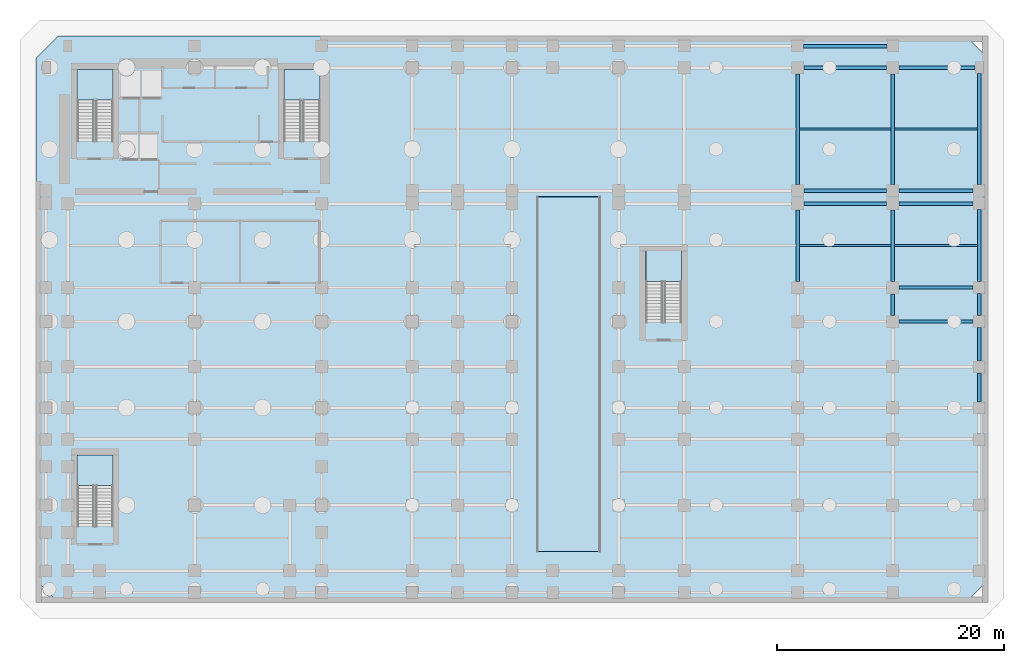
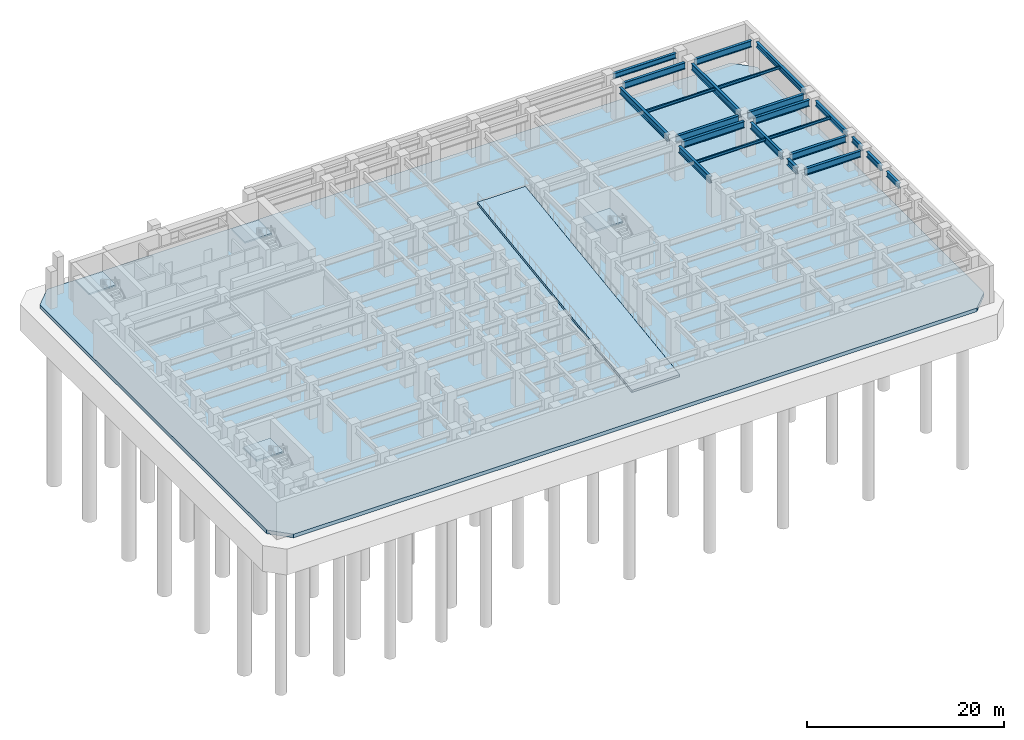
# One storey, part 5 of 13: 23 beams, 6 slabs, 4 elements without a shape of their own.
"""IFC4 building model written with IfcOpenShell, lengths in metres."""

from ifc_helpers import new_model, si_unit, direction, frame, origin, origin_2d, place, context, subcontext, project, spatial, polyline, i_section, outline, extrude, material, layer, layer_set, material_profile, profile_set, type_object, element, aggregate, save


model = new_model("IFC4")

# Units and contexts
model_context = context("Model", 3, precision=1e-05, world=origin(), true_north=direction((0.0, 1.0)))
body_context = subcontext(model_context, "Body", "Model", "MODEL_VIEW")
ifc_project = project(units=[si_unit("LENGTHUNIT", "METRE"), si_unit("AREAUNIT", "SQUARE_METRE"), si_unit("VOLUMEUNIT", "CUBIC_METRE"), si_unit("PLANEANGLEUNIT", "RADIAN"), si_unit("MASSUNIT", "GRAM", prefix="KILO")], contexts=[model_context])

# Site, building, storey
site_placement = place(None, origin())
site = spatial("IfcSite", under=ifc_project, at=site_placement, CompositionType="ELEMENT")
building_placement = place(site_placement, origin())
building = spatial("IfcBuilding", under=site, at=building_placement, Name="Kefirva Bronze Tower", CompositionType="ELEMENT")
storey_placement = place(building_placement, frame((0.0, 0.0, -9.239990234375)))
storey = spatial("IfcBuildingStorey", under=building, at=storey_placement, Name="B2", CompositionType="ELEMENT", Elevation=-9.239990234375)

# Beams
ifc_material_1 = material(Name="Steel S355", Category="steel")
ifc_material_profile_1 = material_profile(ifc_material_1, i_section(OverallWidth=0.159912109375, OverallDepth=0.330078125, WebThickness=0.007568359375, FlangeThickness=0.011474609375, at=origin_2d()), Name="IPE 330")
ifc_profile_set_1 = profile_set([ifc_material_profile_1], Name="Steel S355")
beam_type_1 = type_object("IfcBeamType", Name="Steel Floor Joist IPE 330", PredefinedType="JOIST", material=ifc_profile_set_1)
for number, where, z_axis, x_axis, name in (
    (1, (65.35009765625, 29.5, 4.10498046875), (1.0, 0.0, 0.0), (0.0, 1.0, 0.0), "B2 JST-B2-65-295"),
    (2, (65.35009765625, 39.77490234375, 4.10498046875), (1.0, 0.0, 0.0), (0.0, 1.0, 0.0), "B2 JST-B2-65-397"),
):
    element("IfcBeam", number, at=place(storey_placement, frame(where, z_axis=z_axis, x_axis=x_axis)), inside=storey, type_object=beam_type_1, Name=name, PredefinedType="JOIST", context=body_context, shape_type="SweptSolid", body=[
        extrude(i_section(OverallWidth=0.159912109375, OverallDepth=0.330078125, WebThickness=0.007568359375, FlangeThickness=0.011474609375, at=origin_2d()), origin(), (0.0, 0.0, 1.0), 8.099853515625),
    ])
for number, where, z_axis, x_axis, name in (
    (3, (73.75, 29.5, 4.10498046875), (1.0, 0.0, 0.0), (0.0, 1.0, 0.0), "B2 JST-B2-73-295"),
    (4, (73.75, 39.77490234375, 4.10498046875), (1.0, 0.0, 0.0), (0.0, 1.0, 0.0), "B2 JST-B2-73-397"),
):
    element("IfcBeam", number, at=place(storey_placement, frame(where, z_axis=z_axis, x_axis=x_axis)), inside=storey, type_object=beam_type_1, Name=name, PredefinedType="JOIST", context=body_context, shape_type="SweptSolid", body=[
        extrude(i_section(OverallWidth=0.159912109375, OverallDepth=0.330078125, WebThickness=0.007568359375, FlangeThickness=0.011474609375, at=origin_2d()), origin(), (0.0, 0.0, 1.0), 7.300048828125),
    ])
ifc_material_profile_2 = material_profile(ifc_material_1, i_section(OverallWidth=0.300048828125, OverallDepth=0.800048828125, WebThickness=0.017578125, FlangeThickness=0.032958984375, at=origin_2d()), Name="HEB 800")
ifc_profile_set_2 = profile_set([ifc_material_profile_2], Name="Steel S355")
beam_type_2 = type_object("IfcBeamType", Name="Steel Girder HEB 800", PredefinedType="USERDEFINED", material=ifc_profile_set_2)
for number, where, z_axis, x_axis, name in (
    (5, (74.14990234375, 22.800048828125, 3.869873046875), (1.0, 0.0, 0.0), (0.0, 1.0, 0.0), "B2 BM-B2-EW-73-228"),
    (6, (74.14990234375, 25.800048828125, 3.869873046875), (1.0, 0.0, 0.0), (0.0, 1.0, 0.0), "B2 BM-B2-EW-73-258"),
):
    element("IfcBeam", number, at=place(storey_placement, frame(where, z_axis=z_axis, x_axis=x_axis)), inside=storey, type_object=beam_type_2, Name=name, ObjectType="GIRDER", PredefinedType="USERDEFINED", context=body_context, shape_type="SweptSolid", body=[
        extrude(i_section(OverallWidth=0.300048828125, OverallDepth=0.800048828125, WebThickness=0.017578125, FlangeThickness=0.032958984375, at=origin_2d()), origin(), (0.0, 0.0, 1.0), 6.525146484375),
    ])
beam_1_placement = place(storey_placement, frame((65.75, 33.199951171875, 3.869873046875), z_axis=(1.0, 0.0, 0.0), x_axis=(0.0, 1.0, 0.0)))
element("IfcBeam", 7, at=beam_1_placement, inside=storey, type_object=beam_type_2, Name="B2 BM-B2-EW-65-332", ObjectType="GIRDER", PredefinedType="USERDEFINED", context=body_context, shape_type="SweptSolid", body=[
    extrude(i_section(OverallWidth=0.300048828125, OverallDepth=0.800048828125, WebThickness=0.017578125, FlangeThickness=0.032958984375, at=origin_2d()), origin(), (0.0, 0.0, 1.0), 7.300048828125),
])
beam_2_placement = place(storey_placement, frame((74.14990234375, 33.199951171875, 3.869873046875), z_axis=(1.0, 0.0, 0.0), x_axis=(0.0, 1.0, 0.0)))
element("IfcBeam", 8, at=beam_2_placement, inside=storey, type_object=beam_type_2, Name="B2 BM-B2-EW-73-332", ObjectType="GIRDER", PredefinedType="USERDEFINED", context=body_context, shape_type="SweptSolid", body=[
    extrude(i_section(OverallWidth=0.300048828125, OverallDepth=0.800048828125, WebThickness=0.017578125, FlangeThickness=0.032958984375, at=origin_2d()), origin(), (0.0, 0.0, 1.0), 6.525146484375),
])
beam_3_placement = place(storey_placement, frame((65.75, 34.35009765625, 3.869873046875), z_axis=(1.0, 0.0, 0.0), x_axis=(0.0, 1.0, 0.0)))
element("IfcBeam", 9, at=beam_3_placement, inside=storey, type_object=beam_type_2, Name="B2 BM-B2-EW-65-344", ObjectType="GIRDER", PredefinedType="USERDEFINED", context=body_context, shape_type="SweptSolid", body=[
    extrude(i_section(OverallWidth=0.300048828125, OverallDepth=0.800048828125, WebThickness=0.017578125, FlangeThickness=0.032958984375, at=origin_2d()), origin(), (0.0, 0.0, 1.0), 7.300048828125),
])
beam_4_placement = place(storey_placement, frame((74.14990234375, 34.35009765625, 3.869873046875), z_axis=(1.0, 0.0, 0.0), x_axis=(0.0, 1.0, 0.0)))
element("IfcBeam", 10, at=beam_4_placement, inside=storey, type_object=beam_type_2, Name="B2 BM-B2-EW-73-344", ObjectType="GIRDER", PredefinedType="USERDEFINED", context=body_context, shape_type="SweptSolid", body=[
    extrude(i_section(OverallWidth=0.300048828125, OverallDepth=0.800048828125, WebThickness=0.017578125, FlangeThickness=0.032958984375, at=origin_2d()), origin(), (0.0, 0.0, 1.0), 6.525146484375),
])
beam_5_placement = place(storey_placement, frame((65.75, 45.199951171875, 3.869873046875), z_axis=(1.0, 0.0, 0.0), x_axis=(0.0, 1.0, 0.0)))
element("IfcBeam", 11, at=beam_5_placement, inside=storey, type_object=beam_type_2, Name="B2 BM-B2-EW-65-452", ObjectType="GIRDER", PredefinedType="USERDEFINED", context=body_context, shape_type="SweptSolid", body=[
    extrude(i_section(OverallWidth=0.300048828125, OverallDepth=0.800048828125, WebThickness=0.017578125, FlangeThickness=0.032958984375, at=origin_2d()), origin(), (0.0, 0.0, 1.0), 7.300048828125),
])
beam_6_placement = place(storey_placement, frame((74.14990234375, 45.199951171875, 3.869873046875), z_axis=(1.0, 0.0, 0.0), x_axis=(0.0, 1.0, 0.0)))
element("IfcBeam", 12, at=beam_6_placement, inside=storey, type_object=beam_type_2, Name="B2 BM-B2-EW-73-452", ObjectType="GIRDER", PredefinedType="USERDEFINED", context=body_context, shape_type="SweptSolid", body=[
    extrude(i_section(OverallWidth=0.300048828125, OverallDepth=0.800048828125, WebThickness=0.017578125, FlangeThickness=0.032958984375, at=origin_2d()), origin(), (0.0, 0.0, 1.0), 6.670166015625),
])
beam_7_placement = place(storey_placement, frame((65.199951171875, 26.35009765625, 3.869873046875), z_axis=(0.0, 1.0, 0.0), x_axis=(-1.0, 0.0, 0.0)))
element("IfcBeam", 13, at=beam_7_placement, inside=storey, type_object=beam_type_2, Name="B2 BM-B2-NS-652-25", ObjectType="GIRDER", PredefinedType="USERDEFINED", context=body_context, shape_type="SweptSolid", body=[
    extrude(i_section(OverallWidth=0.300048828125, OverallDepth=0.800048828125, WebThickness=0.017578125, FlangeThickness=0.032958984375, at=origin_2d()), origin(), (0.0, 0.0, 1.0), 6.2998046875),
])
beam_8_placement = place(storey_placement, frame((65.199951171875, 34.89990234375, 3.869873046875), z_axis=(0.0, 1.0, 0.0), x_axis=(-1.0, 0.0, 0.0)))
element("IfcBeam", 14, at=beam_8_placement, inside=storey, type_object=beam_type_2, Name="B2 BM-B2-NS-652-34", ObjectType="GIRDER", PredefinedType="USERDEFINED", context=body_context, shape_type="SweptSolid", body=[
    extrude(i_section(OverallWidth=0.300048828125, OverallDepth=0.800048828125, WebThickness=0.017578125, FlangeThickness=0.032958984375, at=origin_2d()), origin(), (0.0, 0.0, 1.0), 9.75),
])
beam_9_placement = place(storey_placement, frame((73.60009765625, 23.35009765625, 3.869873046875), z_axis=(0.0, 1.0, 0.0), x_axis=(-1.0, 0.0, 0.0)))
element("IfcBeam", 15, at=beam_9_placement, inside=storey, type_object=beam_type_2, Name="B2 BM-B2-NS-736-22", ObjectType="GIRDER", PredefinedType="USERDEFINED", context=body_context, shape_type="SweptSolid", body=[
    extrude(i_section(OverallWidth=0.300048828125, OverallDepth=0.800048828125, WebThickness=0.017578125, FlangeThickness=0.032958984375, at=origin_2d()), origin(), (0.0, 0.0, 1.0), 1.89990234375),
])
beam_10_placement = place(storey_placement, frame((73.60009765625, 26.35009765625, 3.869873046875), z_axis=(0.0, 1.0, 0.0), x_axis=(-1.0, 0.0, 0.0)))
element("IfcBeam", 16, at=beam_10_placement, inside=storey, type_object=beam_type_2, Name="B2 BM-B2-NS-736-25", ObjectType="GIRDER", PredefinedType="USERDEFINED", context=body_context, shape_type="SweptSolid", body=[
    extrude(i_section(OverallWidth=0.300048828125, OverallDepth=0.800048828125, WebThickness=0.017578125, FlangeThickness=0.032958984375, at=origin_2d()), origin(), (0.0, 0.0, 1.0), 6.2998046875),
])
beam_11_placement = place(storey_placement, frame((73.60009765625, 34.89990234375, 3.869873046875), z_axis=(0.0, 1.0, 0.0), x_axis=(-1.0, 0.0, 0.0)))
element("IfcBeam", 17, at=beam_11_placement, inside=storey, type_object=beam_type_2, Name="B2 BM-B2-NS-736-34", ObjectType="GIRDER", PredefinedType="USERDEFINED", context=body_context, shape_type="SweptSolid", body=[
    extrude(i_section(OverallWidth=0.300048828125, OverallDepth=0.800048828125, WebThickness=0.017578125, FlangeThickness=0.032958984375, at=origin_2d()), origin(), (0.0, 0.0, 1.0), 9.75),
])
ifc_material_profile_3 = material_profile(ifc_material_1, i_section(OverallWidth=0.300048828125, OverallDepth=0.64990234375, WebThickness=0.01611328125, FlangeThickness=0.031005859375, at=origin_2d()), Name="HEB 650")
ifc_profile_set_3 = profile_set([ifc_material_profile_3], Name="Steel S355")
beam_type_3 = type_object("IfcBeamType", Name="Steel Spandrel HEB 650 Ext", PredefinedType="SPANDREL", material=ifc_profile_set_3)
beam_12_placement = place(storey_placement, frame((65.72509765625, 47.10009765625, 3.945068359375), z_axis=(1.0, 0.0, 0.0), x_axis=(0.0, 1.0, 0.0)))
element("IfcBeam", 18, at=beam_12_placement, inside=storey, type_object=beam_type_3, Name="B2 BM-B2-EW-65-471", PredefinedType="SPANDREL", context=body_context, shape_type="SweptSolid", body=[
    extrude(i_section(OverallWidth=0.300048828125, OverallDepth=0.64990234375, WebThickness=0.01611328125, FlangeThickness=0.031005859375, at=origin_2d()), origin(), (0.0, 0.0, 1.0), 7.349853515625),
])
beam_13_placement = place(storey_placement, frame((81.199951171875, 15.72509765625, 3.945068359375), z_axis=(0.0, 1.0, 0.0), x_axis=(-1.0, 0.0, 0.0)))
element("IfcBeam", 19, at=beam_13_placement, inside=storey, type_object=beam_type_3, Name="B2 BM-B2-NS-812-15", PredefinedType="SPANDREL", context=body_context, shape_type="SweptSolid", body=[
    extrude(i_section(OverallWidth=0.300048828125, OverallDepth=0.64990234375, WebThickness=0.01611328125, FlangeThickness=0.031005859375, at=origin_2d()), origin(), (0.0, 0.0, 1.0), 2.5498046875),
])
beam_14_placement = place(storey_placement, frame((81.199951171875, 19.324951171875, 3.945068359375), z_axis=(0.0, 1.0, 0.0), x_axis=(-1.0, 0.0, 0.0)))
element("IfcBeam", 20, at=beam_14_placement, inside=storey, type_object=beam_type_3, Name="B2 BM-B2-NS-812-18", PredefinedType="SPANDREL", context=body_context, shape_type="SweptSolid", body=[
    extrude(i_section(OverallWidth=0.300048828125, OverallDepth=0.64990234375, WebThickness=0.01611328125, FlangeThickness=0.031005859375, at=origin_2d()), origin(), (0.0, 0.0, 1.0), 2.949951171875),
])
beam_15_placement = place(storey_placement, frame((81.199951171875, 23.324951171875, 3.945068359375), z_axis=(0.0, 1.0, 0.0), x_axis=(-1.0, 0.0, 0.0)))
element("IfcBeam", 21, at=beam_15_placement, inside=storey, type_object=beam_type_3, Name="B2 BM-B2-NS-812-22", PredefinedType="SPANDREL", context=body_context, shape_type="SweptSolid", body=[
    extrude(i_section(OverallWidth=0.300048828125, OverallDepth=0.64990234375, WebThickness=0.01611328125, FlangeThickness=0.031005859375, at=origin_2d()), origin(), (0.0, 0.0, 1.0), 1.949951171875),
])
beam_16_placement = place(storey_placement, frame((81.199951171875, 26.324951171875, 3.945068359375), z_axis=(0.0, 1.0, 0.0), x_axis=(-1.0, 0.0, 0.0)))
element("IfcBeam", 22, at=beam_16_placement, inside=storey, type_object=beam_type_3, Name="B2 BM-B2-NS-812-25", PredefinedType="SPANDREL", context=body_context, shape_type="SweptSolid", body=[
    extrude(i_section(OverallWidth=0.300048828125, OverallDepth=0.64990234375, WebThickness=0.01611328125, FlangeThickness=0.031005859375, at=origin_2d()), origin(), (0.0, 0.0, 1.0), 6.35009765625),
])
beam_17_placement = place(storey_placement, frame((81.199951171875, 34.875, 3.945068359375), z_axis=(0.0, 1.0, 0.0), x_axis=(-1.0, 0.0, 0.0)))
element("IfcBeam", 23, at=beam_17_placement, inside=storey, type_object=beam_type_3, Name="B2 BM-B2-NS-812-34", PredefinedType="SPANDREL", context=body_context, shape_type="SweptSolid", body=[
    extrude(i_section(OverallWidth=0.300048828125, OverallDepth=0.64990234375, WebThickness=0.01611328125, FlangeThickness=0.031005859375, at=origin_2d()), origin(), (0.0, 0.0, 1.0), 9.804931640625),
])

# Slab
ifc_material_2 = material(Name="Concrete C40/50", Category="concrete")
ifc_layer_1 = layer(ifc_material_2, 0.449951171875, Name="Concrete C40/50")
ifc_layer_set_1 = layer_set([ifc_layer_1], Name="Concrete C40/50")
slab_type_1 = type_object("IfcSlabType", Name="RC Basement Base Slab 450mm", PredefinedType="BASESLAB", material=ifc_layer_set_1)
slab_1_placement = place(storey_placement, frame((0.0, 0.0, -0.449951171875)))
element("IfcSlab", 24, at=slab_1_placement, inside=storey, type_object=slab_type_1, Name="B2 Structural Floor Slab", PredefinedType="BASESLAB", context=body_context, shape_type="SweptSolid", body=[
    extrude(outline(polyline([(0.0, -2.0), (80.0, -2.0), (82.0, 0.0), (82.0, 46.0), (80.0, 48.0), (0.0, 48.0), (-2.0, 46.0), (-2.0, 0.0), (0.0, -2.0)])), origin(), (0.0, 0.0, 1.0), 0.449951171875),
])

# Stair, slab
stair_type = type_object("IfcStairType", Name="RC Dogleg Protected Stair 28R", PredefinedType="HALF_TURN_STAIR", material=ifc_material_2)
stair_1_placement = place(storey_placement, origin())
stair_1 = element("IfcStair", 25, at=stair_1_placement, inside=storey, type_object=stair_type, Name="B2 Protected Exit Stair 1", PredefinedType="HALF_TURN_STAIR")
ifc_layer_2 = layer(ifc_material_2, 0.199951171875, Name="Concrete C40/50")
ifc_layer_set_2 = layer_set([ifc_layer_2], Name="Concrete C40/50")
slab_type_2 = type_object("IfcSlabType", Name="RC Stair Landing Slab 200mm", PredefinedType="LANDING", material=ifc_layer_set_2)
slab_2_placement = place(storey_placement, frame((0.0, 0.0, 2.110107421875)))
slab_2 = element("IfcSlab", 26, at=slab_2_placement, type_object=slab_type_2, Name="ST-1 landing 1", PredefinedType="LANDING", context=body_context, shape_type="SweptSolid", body=[
    extrude(outline(polyline([(4.800048828125, 42.340087890625), (4.800048828125, 45.050048828125), (1.64990234375, 45.050048828125), (1.64990234375, 42.340087890625), (4.800048828125, 42.340087890625)])), origin(), (0.0, 0.0, 1.0), 0.199951171875),
])
aggregate(stair_1, [slab_2])

stair_2_placement = place(storey_placement, origin())
stair_2 = element("IfcStair", 27, at=stair_2_placement, inside=storey, type_object=stair_type, Name="B2 Protected Exit Stair 2", PredefinedType="HALF_TURN_STAIR")
slab_3_placement = place(storey_placement, frame((0.0, 0.0, 2.110107421875)))
slab_3 = element("IfcSlab", 28, at=slab_3_placement, type_object=slab_type_2, Name="ST-2 landing 1", PredefinedType="LANDING", context=body_context, shape_type="SweptSolid", body=[
    extrude(outline(polyline([(23.050048828125, 42.340087890625), (23.050048828125, 45.050048828125), (19.89990234375, 45.050048828125), (19.89990234375, 42.340087890625), (23.050048828125, 42.340087890625)])), origin(), (0.0, 0.0, 1.0), 0.199951171875),
])
aggregate(stair_2, [slab_3])

stair_3_placement = place(storey_placement, origin())
stair_3 = element("IfcStair", 29, at=stair_3_placement, inside=storey, type_object=stair_type, Name="B2 Podium Exit Stair 3", PredefinedType="HALF_TURN_STAIR")
slab_4_placement = place(storey_placement, frame((0.0, 0.0, 2.110107421875)))
slab_4 = element("IfcSlab", 30, at=slab_4_placement, type_object=slab_type_2, Name="ST-3 landing 1", PredefinedType="LANDING", context=body_context, shape_type="SweptSolid", body=[
    extrude(outline(polyline([(4.800048828125, 8.340087890625), (4.800048828125, 11.050048828125), (1.64990234375, 11.050048828125), (1.64990234375, 8.340087890625), (4.800048828125, 8.340087890625)])), origin(), (0.0, 0.0, 1.0), 0.199951171875),
])
aggregate(stair_3, [slab_4])

stair_4_placement = place(storey_placement, origin())
stair_4 = element("IfcStair", 31, at=stair_4_placement, inside=storey, type_object=stair_type, Name="B2 Podium Exit Stair 4", PredefinedType="HALF_TURN_STAIR")
slab_5_placement = place(storey_placement, frame((0.0, 0.0, 2.110107421875)))
slab_5 = element("IfcSlab", 32, at=slab_5_placement, type_object=slab_type_2, Name="ST-4 landing 1", PredefinedType="LANDING", context=body_context, shape_type="SweptSolid", body=[
    extrude(outline(polyline([(54.949951171875, 26.340087890625), (54.949951171875, 29.050048828125), (51.800048828125, 29.050048828125), (51.800048828125, 26.340087890625), (54.949951171875, 26.340087890625)])), origin(), (0.0, 0.0, 1.0), 0.199951171875),
])
aggregate(stair_4, [slab_5])

# Slab
ifc_layer_3 = layer(ifc_material_2, 0.300048828125, Name="Concrete C40/50")
ifc_layer_set_3 = layer_set([ifc_layer_3], Name="Concrete C40/50")
slab_type_3 = type_object("IfcSlabType", Name="RC Vehicle Ramp Slab 300mm", PredefinedType="FLOOR", material=ifc_layer_set_3)
slab_6_placement = place(storey_placement, frame((42.199951171875, 2.5, 0.300048828125), z_axis=(0.0, -0.136717405239, 0.990610090351), x_axis=(1.0, 0.0, 0.0)))
element("IfcSlab", 33, at=slab_6_placement, inside=storey, type_object=slab_type_3, Name="B2 to B1 Two-Way Car Park Ramp", PredefinedType="FLOOR", context=body_context, shape_type="SweptSolid", body=[
    extrude(outline(polyline([(0.0, 0.0), (5.60009765625, 0.0), (5.60009765625, 31.59673935588779), (0.0, 31.59673935588779), (0.0, 0.0)])), origin(), (0.0, 0.0, -1.0), 0.300048828125),
])

save(model, "model.ifc")
